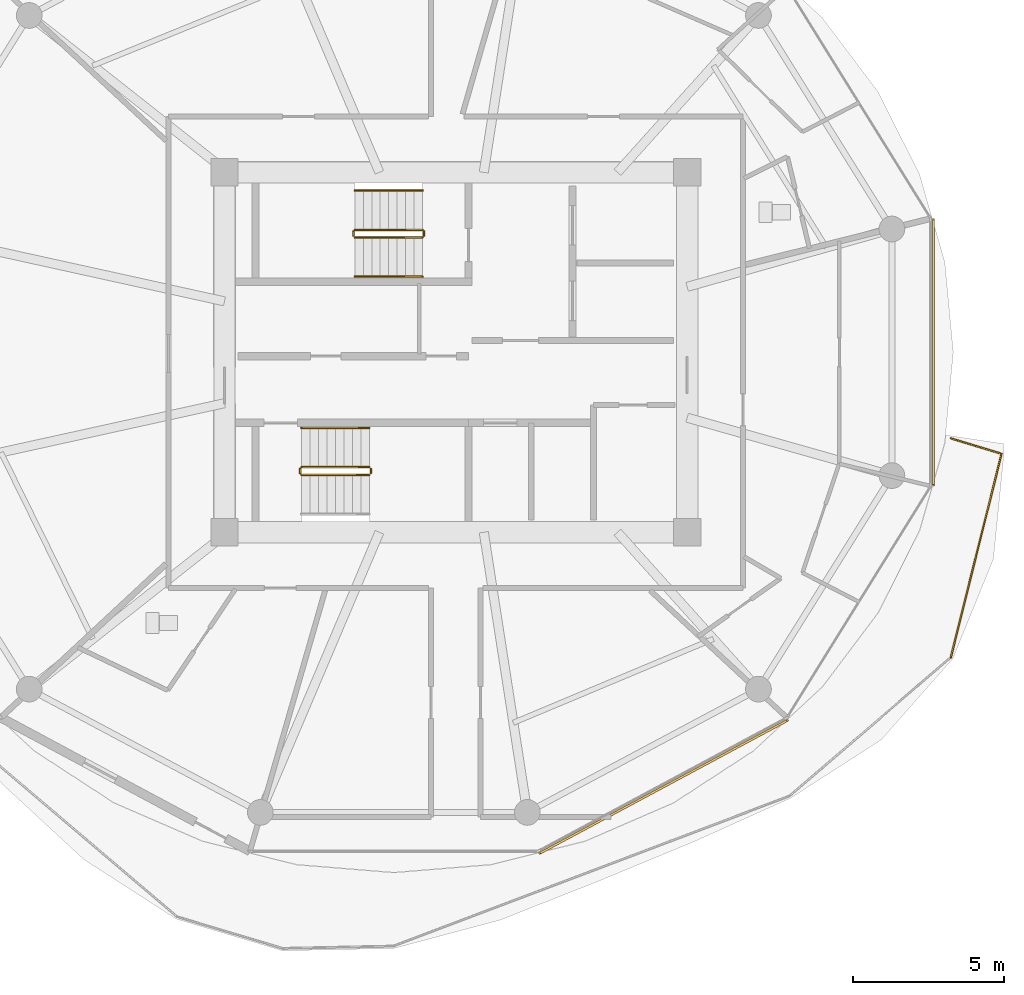
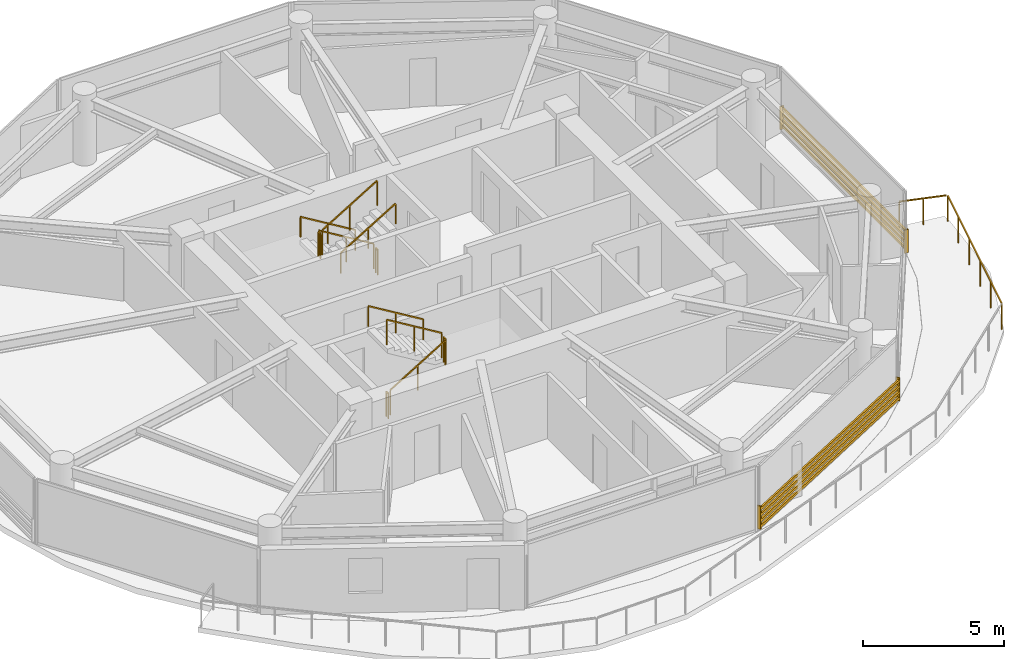
# One storey, part 23 of 25: 12 railings, 2 shading devices.
"""IFC4 building model written with IfcOpenShell, lengths in metres."""

import ifcopenshell
import ifcopenshell.guid

model = None  # the IFC model being written
_history = None  # IfcOwnerHistory: only IFC2X3 demands one
_inside = {}  # id of a spatial element -> (the spatial element, [elements in it])
_under = {}  # id of a project, library or spatial element -> (it, [spatial elements below it])
_declared = {}  # id of a project -> (the project, [libraries it declares])
_typed = {}  # id of a type object -> (the type object, [elements of that type])
_made_of = {}  # id of a material, layer set ... -> (it, [elements and type objects made of it])


def new_model(schema):
    """Start an empty IFC model of exactly this schema.

    Asked for "IFC4X3", IfcOpenShell would pick the latest addendum, in which some entities
    have other attributes; the version numbers below select the first issue.
    IFC2X3 requires an IfcOwnerHistory on every rooted entity: one is made here for all.
    """
    global model, _history
    if schema == "IFC4X3":
        model = ifcopenshell.file(schema_version=(4, 3, 0, 0))
    else:
        model = ifcopenshell.file(schema=schema)
    _inside.clear()
    _under.clear()
    _declared.clear()
    _typed.clear()
    _made_of.clear()
    _history = None
    if model.schema == "IFC2X3":
        org = make("IfcOrganization", Name="unknown")
        user = make(
            "IfcPersonAndOrganization",
            ThePerson=make("IfcPerson", FamilyName="unknown"),
            TheOrganization=org,
        )
        app = make(
            "IfcApplication",
            ApplicationDeveloper=org,
            Version="unknown",
            ApplicationFullName="unknown",
            ApplicationIdentifier="unknown",
        )
        _history = make(
            "IfcOwnerHistory",
            OwningUser=user,
            OwningApplication=app,
            ChangeAction="ADDED",
            CreationDate=0,
        )
    return model


def make(cls, **values):
    """One entity of the class cls with the attributes given. An attribute that is None is left unset."""
    return model.create_entity(
        cls, **{name: value for name, value in values.items() if value is not None}
    )


def rooted(cls, **values):
    """An entity with a GlobalId (a new one), such as an element, a storey or a relation."""
    return make(cls, GlobalId=ifcopenshell.guid.new(), OwnerHistory=_history, **values)


def si_unit(unit_type, name, prefix=None):
    """IfcSIUnit, for example si_unit("LENGTHUNIT", "METRE", prefix="MILLI")."""
    return make("IfcSIUnit", UnitType=unit_type, Prefix=prefix, Name=name)


def assignment(units):
    """IfcUnitAssignment: the units of a project."""
    return None if units is None else make("IfcUnitAssignment", Units=units)


def point(xyz):
    """IfcCartesianPoint."""
    return None if xyz is None else make("IfcCartesianPoint", Coordinates=xyz)


def direction(xyz):
    """IfcDirection."""
    return None if xyz is None else make("IfcDirection", DirectionRatios=xyz)


def frame(location, z_axis=None, x_axis=None):
    """IfcAxis2Placement3D, a coordinate frame: its origin and axes. An axis left out is left unset."""
    return make(
        "IfcAxis2Placement3D",
        Location=point(location),
        Axis=direction(z_axis),
        RefDirection=direction(x_axis),
    )


def frame_2d(location, x_axis=None):
    """IfcAxis2Placement2D, a coordinate frame in the plane: its origin and x axis."""
    return make(
        "IfcAxis2Placement2D", Location=point(location), RefDirection=direction(x_axis)
    )


def origin():
    """The frame at (0, 0, 0) with its axes left unset."""
    return frame((0.0, 0.0, 0.0))


def origin_2d():
    """The frame at (0, 0) in the plane with its x axis left unset."""
    return frame_2d((0.0, 0.0))


def place(relative_to, where):
    """IfcLocalPlacement: puts the frame where relative to a parent placement (None: the world)."""
    return make(
        "IfcLocalPlacement", PlacementRelTo=relative_to, RelativePlacement=where
    )


def context(
    kind, dimensions, precision=None, world=None, true_north=None, identifier=None
):
    """IfcGeometricRepresentationContext, for example the 3D "Model" context."""
    return make(
        "IfcGeometricRepresentationContext",
        ContextIdentifier=identifier,
        ContextType=kind,
        CoordinateSpaceDimension=dimensions,
        Precision=precision,
        WorldCoordinateSystem=world,
        TrueNorth=true_north,
    )


def subcontext(parent, identifier, kind, view, scale=None):
    """IfcGeometricRepresentationSubContext, for example "Body" below "Model"."""
    return make(
        "IfcGeometricRepresentationSubContext",
        ContextIdentifier=identifier,
        ContextType=kind,
        ParentContext=parent,
        TargetScale=scale,
        TargetView=view,
    )


def project(units=None, contexts=None):
    """IfcProject with its units and contexts."""
    return rooted(
        "IfcProject",
        Name="project",
        RepresentationContexts=contexts,
        UnitsInContext=assignment(units),
    )


def spatial(cls, under=None, at=None, **own):
    """A site, building, storey or space (cls), placed at a placement, below another one or the project."""
    s = rooted(cls, ObjectPlacement=at, **own)
    if under is not None:
        _under.setdefault(under.id(), (under, []))[1].append(s)
    return s


def profile(cls, at=None, kind="AREA", **sizes):
    """A parametric profile (cls). Its sizes go by their IFC names, for example OverallWidth=200.0."""
    return make(cls, ProfileType=kind, Position=at, **sizes)


def rectangle(**sizes):
    """IfcRectangleProfileDef."""
    return profile("IfcRectangleProfileDef", **sizes)


def extrude(swept, where, along, depth):
    """IfcExtrudedAreaSolid: the profile swept, set in the frame where, extruded along a direction by depth."""
    return make(
        "IfcExtrudedAreaSolid",
        SweptArea=swept,
        Position=where,
        ExtrudedDirection=direction(along),
        Depth=depth,
    )


def shape(context_of_items, identifier, shape_type, items):
    """IfcShapeRepresentation: the items that make up one representation, for example the "Body"."""
    return make(
        "IfcShapeRepresentation",
        ContextOfItems=context_of_items,
        RepresentationIdentifier=identifier,
        RepresentationType=shape_type,
        Items=items,
    )


def source(mapping_origin, context_of_items, identifier, shape_type, items):
    """IfcRepresentationMap: a shape defined once, which mapped items show again and again."""
    return make(
        "IfcRepresentationMap",
        MappingOrigin=mapping_origin,
        MappedRepresentation=shape(context_of_items, identifier, shape_type, items),
    )


def transform(
    local_origin,
    x_axis=None,
    y_axis=None,
    z_axis=None,
    scale=None,
    scale2=None,
    scale3=None,
    uniform=True,
):
    """IfcCartesianTransformationOperator3D, or its non-uniform kind. x_axis, y_axis, z_axis: its Axis1, 2, 3."""
    if uniform:
        return make(
            "IfcCartesianTransformationOperator3D",
            Axis1=direction(x_axis),
            Axis2=direction(y_axis),
            LocalOrigin=point(local_origin),
            Scale=scale,
            Axis3=direction(z_axis),
        )
    return make(
        "IfcCartesianTransformationOperator3DnonUniform",
        Axis1=direction(x_axis),
        Axis2=direction(y_axis),
        LocalOrigin=point(local_origin),
        Scale=scale,
        Axis3=direction(z_axis),
        Scale2=scale2,
        Scale3=scale3,
    )


def mapped(mapping_source, mapping_target):
    """IfcMappedItem: shows the shape of a source again, moved by a transform."""
    return make(
        "IfcMappedItem", MappingSource=mapping_source, MappingTarget=mapping_target
    )


def material(Name=None, Category=None):
    """IfcMaterial."""
    return make("IfcMaterial", Name=Name, Category=Category)


def made_of(thing, what):
    """Note that an element or type object is made of a material, layer set ...; save() writes the relation."""
    if what is not None:
        _made_of.setdefault(what.id(), (what, []))[1].append(thing)
    return thing


def type_object(cls, material=None, **own):
    """A type object (cls), such as IfcWallType, which elements share."""
    return made_of(rooted(cls, **own), material)


def type_shapes(of_type, sources):
    """Give a type object the sources (RepresentationMaps) that its elements show as mapped items."""
    of_type.RepresentationMaps = sources


def element(
    cls,
    number,
    at=None,
    inside=None,
    cuts=None,
    type_object=None,
    material=None,
    context=None,
    identifier="Body",
    shape_type=None,
    held_by="IfcProductDefinitionShape",
    body=None,
    shapes=None,
    **own,
):
    """One element of the class cls, such as IfcWall. Its Tag is "e" and its number.

    at: its placement. inside: the storey or other place that contains it. cuts: it is an
    opening in that element (IfcRelVoidsElement). A single representation is given by context,
    identifier, shape_type and body (its items); several are given by shapes. held_by: the class
    of the entity that holds the representations. save() writes the other relations.
    """
    e = rooted(cls, Tag="e%d" % number, ObjectPlacement=at, **own)
    if body is not None:
        shapes = [shape(context, identifier, shape_type, body)]
    if shapes is not None:
        e.Representation = make(held_by, Representations=shapes)
    if inside is not None:
        _inside.setdefault(inside.id(), (inside, []))[1].append(e)
    if cuts is not None:
        rooted(
            "IfcRelVoidsElement", RelatingBuildingElement=cuts, RelatedOpeningElement=e
        )
    if type_object is not None:
        _typed.setdefault(type_object.id(), (type_object, []))[1].append(e)
    return made_of(e, material)


def aggregate(whole, parts):
    """IfcRelAggregates: a whole, such as a stair, and the parts it consists of."""
    return rooted("IfcRelAggregates", RelatingObject=whole, RelatedObjects=parts)


def save(model, path):
    """Write the relations noted so far, then the file.

    IfcRelAggregates (storeys below a building ...), IfcRelContainedInSpatialStructure (elements
    in a storey), IfcRelDefinesByType, IfcRelAssociatesMaterial and IfcRelDeclares: one each for
    every whole, place, type object, material and project.
    """
    for whole, parts in _under.values():
        aggregate(whole, parts)
    for where, things in _inside.values():
        rooted(
            "IfcRelContainedInSpatialStructure",
            RelatedElements=things,
            RelatingStructure=where,
        )
    for kind, things in _typed.values():
        rooted("IfcRelDefinesByType", RelatedObjects=things, RelatingType=kind)
    for what, things in _made_of.values():
        rooted("IfcRelAssociatesMaterial", RelatedObjects=things, RelatingMaterial=what)
    for by, libraries in _declared.values():
        rooted("IfcRelDeclares", RelatingContext=by, RelatedDefinitions=libraries)
    model.write(path)


model = new_model("IFC4")

# Units and contexts
model_context = context("Model", 3, precision=1e-05, world=origin(), true_north=direction((0.0, 1.0)))
body_context = subcontext(model_context, "Body", "Model", "MODEL_VIEW")
ifc_project = project(units=[si_unit("LENGTHUNIT", "METRE"), si_unit("AREAUNIT", "SQUARE_METRE"), si_unit("VOLUMEUNIT", "CUBIC_METRE"), si_unit("PLANEANGLEUNIT", "RADIAN"), si_unit("MASSUNIT", "GRAM", prefix="KILO")], contexts=[model_context])

# Site, building, storey
site_placement = place(None, origin())
site = spatial("IfcSite", under=ifc_project, at=site_placement, CompositionType="ELEMENT")
building_placement = place(site_placement, origin())
building = spatial("IfcBuilding", under=site, at=building_placement, Name="Norrkilde Senior Care Towers", CompositionType="ELEMENT")
storey_placement = place(building_placement, frame((0.0, 0.0, 84.050048828125)))
storey = spatial("IfcBuildingStorey", under=building, at=storey_placement, Name="L25", CompositionType="ELEMENT", Elevation=84.050048828125)

# Railings
ifc_material_1 = material(Name="Anodised Aluminium", Category="aluminium")
railing_type_1 = type_object("IfcRailingType", Name="Balcony Swirl Ribbon Guardrail 1150", PredefinedType="GUARDRAIL", material=ifc_material_1)
railing_1_placement = place(storey_placement, frame((44.36328125, -2.842529296875, 0.0)))
element("IfcRailing", 1, at=railing_1_placement, inside=storey, type_object=railing_type_1, Name="L25 Perimeter Safety Guard 02", PredefinedType="GUARDRAIL", context=body_context, shape_type="SweptSolid", body=[
    extrude(rectangle(XDim=0.048095703125, YDim=0.048095703125, at=origin_2d()), frame((0.0, 0.0, 1.1259765625), z_axis=(0.956341865993, -0.292250295722, 0.0), x_axis=(0.292250295722, 0.956341865993, 0.0)), (0.0, 0.0, 1.0), 1.716796875),
    extrude(rectangle(XDim=0.048095703125, YDim=0.048095703125, at=origin_2d()), frame((1.6708984375, -0.55322265625, 1.1259765625), z_axis=(-0.241889654417, -0.970303764337, 0.0), x_axis=(0.970303764337, -0.241889654417, 0.0)), (0.0, 0.0, 1.0), 6.89599609375),
    extrude(rectangle(XDim=0.0419921875, YDim=0.0419921875, at=origin_2d()), origin(), (0.0, 0.0, 1.0), 1.099853515625),
    extrude(rectangle(XDim=0.0419921875, YDim=0.0419921875, at=origin_2d()), frame((0.84033203125, -0.2568359375, 0.0)), (0.0, 0.0, 1.0), 1.099853515625),
    extrude(rectangle(XDim=0.0419921875, YDim=0.0419921875, at=origin_2d()), frame((1.680908203125, -0.513671875, 0.0)), (0.0, 0.0, 1.0), 1.099853515625),
    extrude(rectangle(XDim=0.0419921875, YDim=0.0419921875, at=origin_2d()), frame((1.34521484375, -1.85986328125, 0.0)), (0.0, 0.0, 1.0), 1.099853515625),
    extrude(rectangle(XDim=0.0419921875, YDim=0.0419921875, at=origin_2d()), frame((1.009765625, -3.2060546875, 0.0)), (0.0, 0.0, 1.0), 1.099853515625),
    extrude(rectangle(XDim=0.0419921875, YDim=0.0419921875, at=origin_2d()), frame((0.674072265625, -4.55224609375, 0.0)), (0.0, 0.0, 1.0), 1.099853515625),
    extrude(rectangle(XDim=0.0419921875, YDim=0.0419921875, at=origin_2d()), frame((0.338623046875, -5.8984375, 0.0)), (0.0, 0.0, 1.0), 1.099853515625),
    extrude(rectangle(XDim=0.0419921875, YDim=0.0419921875, at=origin_2d()), frame((0.0029296875, -7.24462890625, 0.0)), (0.0, 0.0, 1.0), 1.099853515625),
])
ifc_material_2 = material(Name="Stainless Steel", Category="steel")
railing_type_2 = type_object("IfcRailingType", Name="Stair and Terrace Guardrail 1100", PredefinedType="GUARDRAIL", material=ifc_material_2)
railing_2_placement = place(storey_placement, frame((26.89990234375, 4.050048828125, 0.16943359375)))
element("IfcRailing", 2, at=railing_2_placement, inside=storey, type_object=railing_type_2, Name="L25 ST-E1 stair guard 1", PredefinedType="GUARDRAIL", context=body_context, shape_type="SweptSolid", body=[
    extrude(rectangle(XDim=0.048095703125, YDim=0.048095703125, at=origin_2d()), frame((0.0, 0.0, 1.076171875), z_axis=(-0.855553338991, 0.0, 0.51771467445), x_axis=(0.0, -1.0, 0.0)), (0.0, 0.0, 1.0), 2.6181640625),
    extrude(rectangle(XDim=0.0419921875, YDim=0.0419921875, at=origin_2d()), origin(), (0.0, 0.0, 1.0), 1.050048828125),
    extrude(rectangle(XDim=0.0419921875, YDim=0.0419921875, at=origin_2d()), frame((-1.1201171875, 0.0, 0.677734375)), (0.0, 0.0, 1.0), 1.050048828125),
    extrude(rectangle(XDim=0.0419921875, YDim=0.0419921875, at=origin_2d()), frame((-2.239990234375, 0.0, 1.35546875)), (0.0, 0.0, 1.0), 1.050048828125),
])
railing_3_placement = place(storey_placement, frame((24.610107421875, 4.0, 1.52490234375)))
element("IfcRailing", 3, at=railing_3_placement, inside=storey, type_object=railing_type_2, Name="L25 ST-E1 stair guard 2", PredefinedType="GUARDRAIL", context=body_context, shape_type="SweptSolid", body=[
    extrude(rectangle(XDim=0.048095703125, YDim=0.048095703125, at=origin_2d()), frame((0.0, 0.0, 1.076171875), z_axis=(0.0, -1.0, 0.0), x_axis=(1.0, 0.0, 0.0)), (0.0, 0.0, 1.0), 0.14990234375),
    extrude(rectangle(XDim=0.0419921875, YDim=0.0419921875, at=origin_2d()), origin(), (0.0, 0.0, 1.0), 1.050048828125),
    extrude(rectangle(XDim=0.0419921875, YDim=0.0419921875, at=origin_2d()), frame((0.0, -0.14990234375, 0.0)), (0.0, 0.0, 1.0), 1.050048828125),
])
railing_4_placement = place(storey_placement, frame((24.659912109375, 3.800048828125, 1.6943359375)))
element("IfcRailing", 4, at=railing_4_placement, inside=storey, type_object=railing_type_2, Name="L25 ST-E1 stair guard 3", PredefinedType="GUARDRAIL", context=body_context, shape_type="SweptSolid", body=[
    extrude(rectangle(XDim=0.048095703125, YDim=0.048095703125, at=origin_2d()), frame((0.0, 0.0, 1.076171875), z_axis=(0.855512035549, 0.0, 0.517782924622), x_axis=(0.0, 1.0, 0.0)), (0.0, 0.0, 1.0), 2.618408203125),
    extrude(rectangle(XDim=0.0419921875, YDim=0.0419921875, at=origin_2d()), origin(), (0.0, 0.0, 1.0), 1.050048828125),
    extrude(rectangle(XDim=0.0419921875, YDim=0.0419921875, at=origin_2d()), frame((1.1201171875, 0.0, 0.677734375)), (0.0, 0.0, 1.0), 1.050048828125),
    extrude(rectangle(XDim=0.0419921875, YDim=0.0419921875, at=origin_2d()), frame((2.239990234375, 0.0, 1.355712890625)), (0.0, 0.0, 1.0), 1.050048828125),
])
railing_5_placement = place(storey_placement, frame((26.949951171875, 4.0, 0.0)))
element("IfcRailing", 5, at=railing_5_placement, inside=storey, type_object=railing_type_2, Name="L25 ST-E1 stair guard 4", PredefinedType="GUARDRAIL", context=body_context, shape_type="SweptSolid", body=[
    extrude(rectangle(XDim=0.048095703125, YDim=0.048095703125, at=origin_2d()), frame((0.0, 0.0, 1.076171875), z_axis=(0.0, -1.0, 0.0), x_axis=(1.0, 0.0, 0.0)), (0.0, 0.0, 1.0), 0.14990234375),
    extrude(rectangle(XDim=0.0419921875, YDim=0.0419921875, at=origin_2d()), origin(), (0.0, 0.0, 1.0), 1.050048828125),
    extrude(rectangle(XDim=0.0419921875, YDim=0.0419921875, at=origin_2d()), frame((0.0, -0.14990234375, 0.0)), (0.0, 0.0, 1.0), 1.050048828125),
])
railing_6_placement = place(storey_placement, frame((22.89990234375, -4.050048828125, 0.16943359375)))
element("IfcRailing", 6, at=railing_6_placement, inside=storey, type_object=railing_type_2, Name="L25 ST-E2 stair guard 1", PredefinedType="GUARDRAIL", context=body_context, shape_type="SweptSolid", body=[
    extrude(rectangle(XDim=0.048095703125, YDim=0.048095703125, at=origin_2d()), frame((0.0, 0.0, 1.076171875), z_axis=(0.855553338991, 0.0, 0.51771467445), x_axis=(0.0, 1.0, 0.0)), (0.0, 0.0, 1.0), 2.6181640625),
    extrude(rectangle(XDim=0.0419921875, YDim=0.0419921875, at=origin_2d()), origin(), (0.0, 0.0, 1.0), 1.050048828125),
    extrude(rectangle(XDim=0.0419921875, YDim=0.0419921875, at=origin_2d()), frame((1.1201171875, 0.0, 0.677734375)), (0.0, 0.0, 1.0), 1.050048828125),
    extrude(rectangle(XDim=0.0419921875, YDim=0.0419921875, at=origin_2d()), frame((2.239990234375, 0.0, 1.35546875)), (0.0, 0.0, 1.0), 1.050048828125),
])
railing_7_placement = place(storey_placement, frame((25.18994140625, -4.0, 1.52490234375)))
element("IfcRailing", 7, at=railing_7_placement, inside=storey, type_object=railing_type_2, Name="L25 ST-E2 stair guard 2", PredefinedType="GUARDRAIL", context=body_context, shape_type="SweptSolid", body=[
    extrude(rectangle(XDim=0.048095703125, YDim=0.048095703125, at=origin_2d()), frame((0.0, 0.0, 1.076171875), z_axis=(0.0, 1.0, 0.0), x_axis=(-1.0, 0.0, 0.0)), (0.0, 0.0, 1.0), 0.14990234375),
    extrude(rectangle(XDim=0.0419921875, YDim=0.0419921875, at=origin_2d()), origin(), (0.0, 0.0, 1.0), 1.050048828125),
    extrude(rectangle(XDim=0.0419921875, YDim=0.0419921875, at=origin_2d()), frame((0.0, 0.14990234375, 0.0)), (0.0, 0.0, 1.0), 1.050048828125),
])
railing_8_placement = place(storey_placement, frame((25.139892578125, -3.800048828125, 1.6943359375)))
element("IfcRailing", 8, at=railing_8_placement, inside=storey, type_object=railing_type_2, Name="L25 ST-E2 stair guard 3", PredefinedType="GUARDRAIL", context=body_context, shape_type="SweptSolid", body=[
    extrude(rectangle(XDim=0.048095703125, YDim=0.048095703125, at=origin_2d()), frame((0.0, 0.0, 1.076171875), z_axis=(-0.855512035549, 0.0, 0.517782924622), x_axis=(0.0, -1.0, 0.0)), (0.0, 0.0, 1.0), 2.618408203125),
    extrude(rectangle(XDim=0.0419921875, YDim=0.0419921875, at=origin_2d()), origin(), (0.0, 0.0, 1.0), 1.050048828125),
    extrude(rectangle(XDim=0.0419921875, YDim=0.0419921875, at=origin_2d()), frame((-1.1201171875, 0.0, 0.677734375)), (0.0, 0.0, 1.0), 1.050048828125),
    extrude(rectangle(XDim=0.0419921875, YDim=0.0419921875, at=origin_2d()), frame((-2.239990234375, 0.0, 1.355712890625)), (0.0, 0.0, 1.0), 1.050048828125),
])
railing_9_placement = place(storey_placement, frame((22.85009765625, -4.0, 0.0)))
element("IfcRailing", 9, at=railing_9_placement, inside=storey, type_object=railing_type_2, Name="L25 ST-E2 stair guard 4", PredefinedType="GUARDRAIL", context=body_context, shape_type="SweptSolid", body=[
    extrude(rectangle(XDim=0.048095703125, YDim=0.048095703125, at=origin_2d()), frame((0.0, 0.0, 1.076171875), z_axis=(0.0, 1.0, 0.0), x_axis=(-1.0, 0.0, 0.0)), (0.0, 0.0, 1.0), 0.14990234375),
    extrude(rectangle(XDim=0.0419921875, YDim=0.0419921875, at=origin_2d()), origin(), (0.0, 0.0, 1.0), 1.050048828125),
    extrude(rectangle(XDim=0.0419921875, YDim=0.0419921875, at=origin_2d()), frame((0.0, 0.14990234375, 0.0)), (0.0, 0.0, 1.0), 1.050048828125),
])
ifc_material_3 = material(Name="Nordic Ash Timber", Category="wood")
railing_type_3 = type_object("IfcRailingType", Name="Wall and Stair Handrail 900", PredefinedType="HANDRAIL", material=ifc_material_3)
railing_10_placement = place(storey_placement, frame((26.89990234375, 5.35009765625, 0.16943359375)))
element("IfcRailing", 10, at=railing_10_placement, inside=storey, type_object=railing_type_3, Name="L25 ST-E1 stair handrail 1", PredefinedType="HANDRAIL", context=body_context, shape_type="SweptSolid", body=[
    extrude(rectangle(XDim=0.048095703125, YDim=0.048095703125, at=origin_2d()), frame((0.0, 0.0, 0.8759765625), z_axis=(-0.855553338991, 0.0, 0.51771467445), x_axis=(0.0, -1.0, 0.0)), (0.0, 0.0, 1.0), 2.6181640625),
    extrude(rectangle(XDim=0.0419921875, YDim=0.0419921875, at=origin_2d()), origin(), (0.0, 0.0, 1.0), 0.849853515625),
    extrude(rectangle(XDim=0.0419921875, YDim=0.0419921875, at=origin_2d()), frame((-1.1201171875, 0.0, 0.677734375)), (0.0, 0.0, 1.0), 0.849853515625),
    extrude(rectangle(XDim=0.0419921875, YDim=0.0419921875, at=origin_2d()), frame((-2.239990234375, 0.0, 1.35546875)), (0.0, 0.0, 1.0), 0.849853515625),
])
railing_11_placement = place(storey_placement, frame((24.659912109375, 2.5, 1.6943359375)))
element("IfcRailing", 11, at=railing_11_placement, inside=storey, type_object=railing_type_3, Name="L25 ST-E1 stair handrail 2", PredefinedType="HANDRAIL", context=body_context, shape_type="SweptSolid", body=[
    extrude(rectangle(XDim=0.048095703125, YDim=0.048095703125, at=origin_2d()), frame((0.0, 0.0, 0.8759765625), z_axis=(0.855512035549, 0.0, 0.517782924622), x_axis=(0.0, 1.0, 0.0)), (0.0, 0.0, 1.0), 2.618408203125),
    extrude(rectangle(XDim=0.0419921875, YDim=0.0419921875, at=origin_2d()), origin(), (0.0, 0.0, 1.0), 0.849853515625),
    extrude(rectangle(XDim=0.0419921875, YDim=0.0419921875, at=origin_2d()), frame((1.1201171875, 0.0, 0.677734375)), (0.0, 0.0, 1.0), 0.849853515625),
    extrude(rectangle(XDim=0.0419921875, YDim=0.0419921875, at=origin_2d()), frame((2.239990234375, 0.0, 1.355712890625)), (0.0, 0.0, 1.0), 0.849853515625),
])
railing_12_placement = place(storey_placement, frame((25.139892578125, -2.5, 1.6943359375)))
element("IfcRailing", 12, at=railing_12_placement, inside=storey, type_object=railing_type_3, Name="L25 ST-E2 stair handrail 2", PredefinedType="HANDRAIL", context=body_context, shape_type="SweptSolid", body=[
    extrude(rectangle(XDim=0.048095703125, YDim=0.048095703125, at=origin_2d()), frame((0.0, 0.0, 0.8759765625), z_axis=(-0.855512035549, 0.0, 0.517782924622), x_axis=(0.0, -1.0, 0.0)), (0.0, 0.0, 1.0), 2.618408203125),
    extrude(rectangle(XDim=0.0419921875, YDim=0.0419921875, at=origin_2d()), origin(), (0.0, 0.0, 1.0), 0.849853515625),
    extrude(rectangle(XDim=0.0419921875, YDim=0.0419921875, at=origin_2d()), frame((-1.1201171875, 0.0, 0.677734375)), (0.0, 0.0, 1.0), 0.849853515625),
    extrude(rectangle(XDim=0.0419921875, YDim=0.0419921875, at=origin_2d()), frame((-2.239990234375, 0.0, 1.355712890625)), (0.0, 0.0, 1.0), 0.849853515625),
])

# Shading devices
ifc_material_4 = material(Name="Architectural Terracotta", Category="masonry")
shading_device_type = type_object("IfcShadingDeviceType", Name="Horizontal Terracotta Baguette Rack", PredefinedType="USERDEFINED", material=ifc_material_4)
shared_shape_1 = source(origin(), body_context, "Body", "SweptSolid", [
    extrude(rectangle(XDim=0.070068359375, YDim=0.110107421875, at=origin_2d()), frame((0.0, 0.090087890625, 0.125), z_axis=(1.0, 0.0, 0.0), x_axis=(0.0, 1.0, 0.0)), (0.0, 0.0, 1.0), 9.3505859375),
    extrude(rectangle(XDim=0.070068359375, YDim=0.110107421875, at=origin_2d()), frame((0.0, 0.090087890625, 0.375), z_axis=(1.0, 0.0, 0.0), x_axis=(0.0, 1.0, 0.0)), (0.0, 0.0, 1.0), 9.3505859375),
    extrude(rectangle(XDim=0.070068359375, YDim=0.110107421875, at=origin_2d()), frame((0.0, 0.090087890625, 0.625), z_axis=(1.0, 0.0, 0.0), x_axis=(0.0, 1.0, 0.0)), (0.0, 0.0, 1.0), 9.3505859375),
    extrude(rectangle(XDim=0.070068359375, YDim=0.110107421875, at=origin_2d()), frame((0.0, 0.090087890625, 0.875), z_axis=(1.0, 0.0, 0.0), x_axis=(0.0, 1.0, 0.0)), (0.0, 0.0, 1.0), 9.3505859375),
    extrude(rectangle(XDim=0.050048828125, YDim=0.1552734375, at=origin_2d()), frame((0.02490234375, 0.047607421875, 0.0)), (0.0, 0.0, 1.0), 1.0),
    extrude(rectangle(XDim=0.050048828125, YDim=0.1552734375, at=origin_2d()), frame((9.32568359375, 0.047607421875, 0.0)), (0.0, 0.0, 1.0), 1.0),
])
shading_device_1_placement = place(storey_placement, frame((38.946533203125, -12.077392578125, 0.079833984375), z_axis=(0.0, 0.0, 1.0), x_axis=(-0.881174934726, -0.472767624021, 0.0)))
element("IfcShadingDevice", 13, at=shading_device_1_placement, inside=storey, type_object=shading_device_type, Name="L25 Drum E Terracotta Baguette Screen 09", ObjectType="BAGUETTE", PredefinedType="USERDEFINED", context=body_context, shape_type="MappedRepresentation", body=[
    mapped(shared_shape_1, transform((0.0, 0.0, 0.0), x_axis=(1.0, 0.0, 0.0), y_axis=(0.0, 1.0, 0.0), z_axis=(0.0, 0.0, 1.0), scale=1.0)),
])
shared_shape_2 = source(origin(), body_context, "Body", "SweptSolid", [
    extrude(rectangle(XDim=0.070068359375, YDim=0.110107421875, at=origin_2d()), frame((0.0, 0.090087890625, 0.125), z_axis=(1.0, 0.0, 0.0), x_axis=(0.0, 1.0, 0.0)), (0.0, 0.0, 1.0), 8.84130859375),
    extrude(rectangle(XDim=0.070068359375, YDim=0.110107421875, at=origin_2d()), frame((0.0, 0.090087890625, 0.375), z_axis=(1.0, 0.0, 0.0), x_axis=(0.0, 1.0, 0.0)), (0.0, 0.0, 1.0), 8.84130859375),
    extrude(rectangle(XDim=0.070068359375, YDim=0.110107421875, at=origin_2d()), frame((0.0, 0.090087890625, 0.625), z_axis=(1.0, 0.0, 0.0), x_axis=(0.0, 1.0, 0.0)), (0.0, 0.0, 1.0), 8.84130859375),
    extrude(rectangle(XDim=0.070068359375, YDim=0.110107421875, at=origin_2d()), frame((0.0, 0.090087890625, 0.875), z_axis=(1.0, 0.0, 0.0), x_axis=(0.0, 1.0, 0.0)), (0.0, 0.0, 1.0), 8.84130859375),
    extrude(rectangle(XDim=0.050048828125, YDim=0.1552734375, at=origin_2d()), frame((0.02490234375, 0.047607421875, 0.0)), (0.0, 0.0, 1.0), 1.0),
    extrude(rectangle(XDim=0.050048828125, YDim=0.1552734375, at=origin_2d()), frame((8.81640625, 0.047607421875, 0.0)), (0.0, 0.0, 1.0), 1.0),
])
type_shapes(shading_device_type, [shared_shape_1, shared_shape_2])
shading_device_2_placement = place(storey_placement, frame((43.70361328125, 4.420654296875, 0.079833984375), z_axis=(0.0, 0.0, 1.0), x_axis=(0.0, -1.0, 0.0)))
element("IfcShadingDevice", 14, at=shading_device_2_placement, inside=storey, type_object=shading_device_type, Name="L25 Drum E Terracotta Baguette Screen 11", ObjectType="BAGUETTE", PredefinedType="USERDEFINED", context=body_context, shape_type="MappedRepresentation", body=[
    mapped(shared_shape_2, transform((0.0, 0.0, 0.0), x_axis=(1.0, 0.0, 0.0), y_axis=(0.0, 1.0, 0.0), z_axis=(0.0, 0.0, 1.0), scale=1.0)),
])

save(model, "model.ifc")
